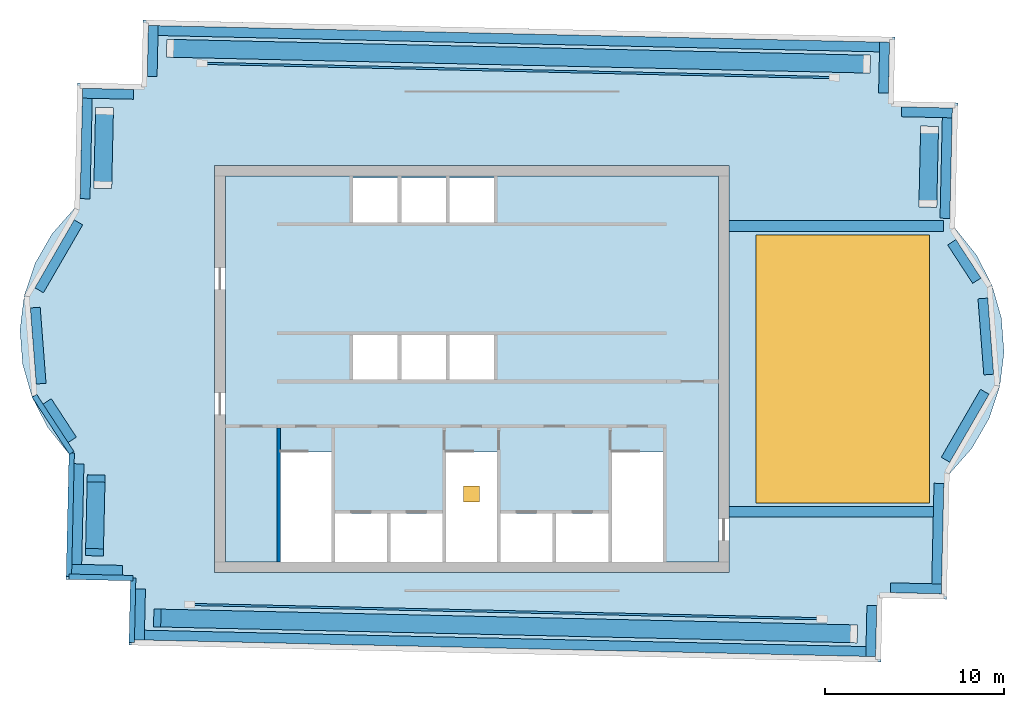
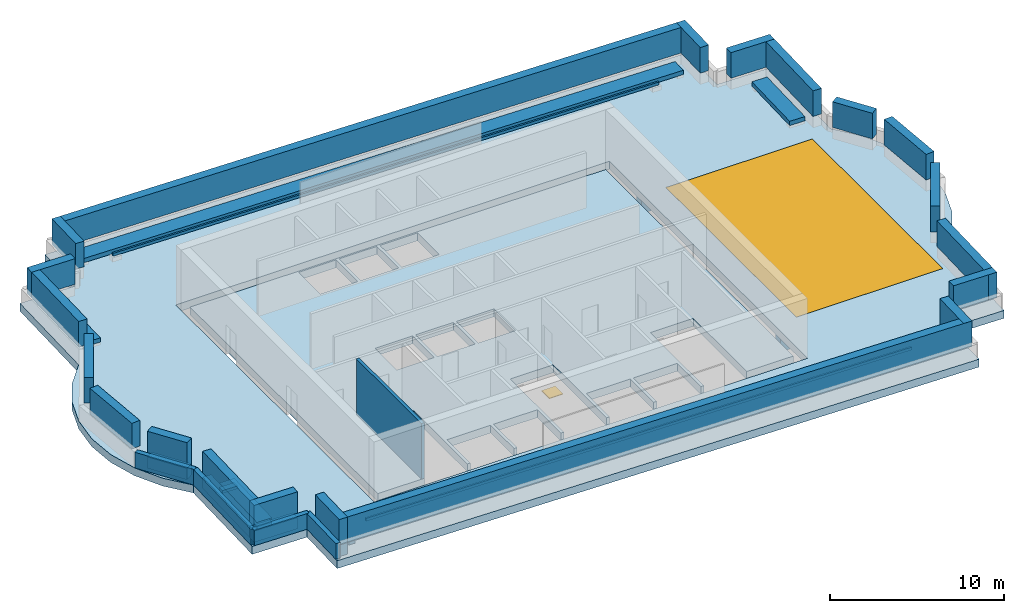
"""IFC4 building model written with IfcOpenShell, lengths in metres."""

import ifcopenshell
import ifcopenshell.guid

model = None  # the IFC model being written
_history = None  # IfcOwnerHistory: only IFC2X3 demands one
_inside = {}  # id of a spatial element -> (the spatial element, [elements in it])
_under = {}  # id of a project, library or spatial element -> (it, [spatial elements below it])
_declared = {}  # id of a project -> (the project, [libraries it declares])
_typed = {}  # id of a type object -> (the type object, [elements of that type])
_made_of = {}  # id of a material, layer set ... -> (it, [elements and type objects made of it])


def new_model(schema):
    """Start an empty IFC model of exactly this schema.

    Asked for "IFC4X3", IfcOpenShell would pick the latest addendum, in which some entities
    have other attributes; the version numbers below select the first issue.
    IFC2X3 requires an IfcOwnerHistory on every rooted entity: one is made here for all.
    """
    global model, _history
    if schema == "IFC4X3":
        model = ifcopenshell.file(schema_version=(4, 3, 0, 0))
    else:
        model = ifcopenshell.file(schema=schema)
    _inside.clear()
    _under.clear()
    _declared.clear()
    _typed.clear()
    _made_of.clear()
    _history = None
    if model.schema == "IFC2X3":
        org = make("IfcOrganization", Name="unknown")
        user = make(
            "IfcPersonAndOrganization",
            ThePerson=make("IfcPerson", FamilyName="unknown"),
            TheOrganization=org,
        )
        app = make(
            "IfcApplication",
            ApplicationDeveloper=org,
            Version="unknown",
            ApplicationFullName="unknown",
            ApplicationIdentifier="unknown",
        )
        _history = make(
            "IfcOwnerHistory",
            OwningUser=user,
            OwningApplication=app,
            ChangeAction="ADDED",
            CreationDate=0,
        )
    return model


def make(cls, **values):
    """One entity of the class cls with the attributes given. An attribute that is None is left unset."""
    return model.create_entity(
        cls, **{name: value for name, value in values.items() if value is not None}
    )


def rooted(cls, **values):
    """An entity with a GlobalId (a new one), such as an element, a storey or a relation."""
    return make(cls, GlobalId=ifcopenshell.guid.new(), OwnerHistory=_history, **values)


def si_unit(unit_type, name, prefix=None):
    """IfcSIUnit, for example si_unit("LENGTHUNIT", "METRE", prefix="MILLI")."""
    return make("IfcSIUnit", UnitType=unit_type, Prefix=prefix, Name=name)


def assignment(units):
    """IfcUnitAssignment: the units of a project."""
    return None if units is None else make("IfcUnitAssignment", Units=units)


def point(xyz):
    """IfcCartesianPoint."""
    return None if xyz is None else make("IfcCartesianPoint", Coordinates=xyz)


def direction(xyz):
    """IfcDirection."""
    return None if xyz is None else make("IfcDirection", DirectionRatios=xyz)


def frame(location, z_axis=None, x_axis=None):
    """IfcAxis2Placement3D, a coordinate frame: its origin and axes. An axis left out is left unset."""
    return make(
        "IfcAxis2Placement3D",
        Location=point(location),
        Axis=direction(z_axis),
        RefDirection=direction(x_axis),
    )


def frame_2d(location, x_axis=None):
    """IfcAxis2Placement2D, a coordinate frame in the plane: its origin and x axis."""
    return make(
        "IfcAxis2Placement2D", Location=point(location), RefDirection=direction(x_axis)
    )


def origin():
    """The frame at (0, 0, 0) with its axes left unset."""
    return frame((0.0, 0.0, 0.0))


def origin_2d():
    """The frame at (0, 0) in the plane with its x axis left unset."""
    return frame_2d((0.0, 0.0))


def place(relative_to, where):
    """IfcLocalPlacement: puts the frame where relative to a parent placement (None: the world)."""
    return make(
        "IfcLocalPlacement", PlacementRelTo=relative_to, RelativePlacement=where
    )


def context(
    kind, dimensions, precision=None, world=None, true_north=None, identifier=None
):
    """IfcGeometricRepresentationContext, for example the 3D "Model" context."""
    return make(
        "IfcGeometricRepresentationContext",
        ContextIdentifier=identifier,
        ContextType=kind,
        CoordinateSpaceDimension=dimensions,
        Precision=precision,
        WorldCoordinateSystem=world,
        TrueNorth=true_north,
    )


def subcontext(parent, identifier, kind, view, scale=None):
    """IfcGeometricRepresentationSubContext, for example "Body" below "Model"."""
    return make(
        "IfcGeometricRepresentationSubContext",
        ContextIdentifier=identifier,
        ContextType=kind,
        ParentContext=parent,
        TargetScale=scale,
        TargetView=view,
    )


def project(units=None, contexts=None):
    """IfcProject with its units and contexts."""
    return rooted(
        "IfcProject",
        Name="project",
        RepresentationContexts=contexts,
        UnitsInContext=assignment(units),
    )


def spatial(cls, under=None, at=None, **own):
    """A site, building, storey or space (cls), placed at a placement, below another one or the project."""
    s = rooted(cls, ObjectPlacement=at, **own)
    if under is not None:
        _under.setdefault(under.id(), (under, []))[1].append(s)
    return s


def polyline(points):
    """IfcPolyline through the points."""
    return make("IfcPolyline", Points=[point(p) for p in points])


def profile(cls, at=None, kind="AREA", **sizes):
    """A parametric profile (cls). Its sizes go by their IFC names, for example OverallWidth=200.0."""
    return make(cls, ProfileType=kind, Position=at, **sizes)


def rectangle(**sizes):
    """IfcRectangleProfileDef."""
    return profile("IfcRectangleProfileDef", **sizes)


def hollow_rectangle(**sizes):
    """IfcRectangleHollowProfileDef."""
    return profile("IfcRectangleHollowProfileDef", **sizes)


def outline(outer, holes=None, kind="AREA"):
    """IfcArbitraryClosedProfileDef: a profile drawn as a closed curve; with holes, ...WithVoids."""
    if holes is None:
        return make("IfcArbitraryClosedProfileDef", ProfileType=kind, OuterCurve=outer)
    return make(
        "IfcArbitraryProfileDefWithVoids",
        ProfileType=kind,
        OuterCurve=outer,
        InnerCurves=holes,
    )


def extrude(swept, where, along, depth):
    """IfcExtrudedAreaSolid: the profile swept, set in the frame where, extruded along a direction by depth."""
    return make(
        "IfcExtrudedAreaSolid",
        SweptArea=swept,
        Position=where,
        ExtrudedDirection=direction(along),
        Depth=depth,
    )


def shape(context_of_items, identifier, shape_type, items):
    """IfcShapeRepresentation: the items that make up one representation, for example the "Body"."""
    return make(
        "IfcShapeRepresentation",
        ContextOfItems=context_of_items,
        RepresentationIdentifier=identifier,
        RepresentationType=shape_type,
        Items=items,
    )


def material(Name=None, Category=None):
    """IfcMaterial."""
    return make("IfcMaterial", Name=Name, Category=Category)


def layer(
    of_material, thickness, ventilated=None, Name=None, Category=None, Priority=None
):
    """IfcMaterialLayer: one layer of a wall or slab, of a material (None: an air gap)."""
    return make(
        "IfcMaterialLayer",
        Material=of_material,
        LayerThickness=thickness,
        IsVentilated=ventilated,
        Name=Name,
        Category=Category,
        Priority=Priority,
    )


def layer_set(layers, Name=None):
    """IfcMaterialLayerSet."""
    return make("IfcMaterialLayerSet", MaterialLayers=layers, LayerSetName=Name)


def material_profile(
    of_material, cross_section, Name=None, Category=None, Priority=None
):
    """IfcMaterialProfile: a cross section and its material."""
    return make(
        "IfcMaterialProfile",
        Name=Name,
        Material=of_material,
        Profile=cross_section,
        Priority=Priority,
        Category=Category,
    )


def profile_set(profiles, Name=None, composite=None):
    """IfcMaterialProfileSet."""
    return make(
        "IfcMaterialProfileSet",
        Name=Name,
        MaterialProfiles=profiles,
        CompositeProfile=composite,
    )


def made_of(thing, what):
    """Note that an element or type object is made of a material, layer set ...; save() writes the relation."""
    if what is not None:
        _made_of.setdefault(what.id(), (what, []))[1].append(thing)
    return thing


def type_object(cls, material=None, **own):
    """A type object (cls), such as IfcWallType, which elements share."""
    return made_of(rooted(cls, **own), material)


def element(
    cls,
    number,
    at=None,
    inside=None,
    cuts=None,
    type_object=None,
    material=None,
    context=None,
    identifier="Body",
    shape_type=None,
    held_by="IfcProductDefinitionShape",
    body=None,
    shapes=None,
    **own,
):
    """One element of the class cls, such as IfcWall. Its Tag is "e" and its number.

    at: its placement. inside: the storey or other place that contains it. cuts: it is an
    opening in that element (IfcRelVoidsElement). A single representation is given by context,
    identifier, shape_type and body (its items); several are given by shapes. held_by: the class
    of the entity that holds the representations. save() writes the other relations.
    """
    e = rooted(cls, Tag="e%d" % number, ObjectPlacement=at, **own)
    if body is not None:
        shapes = [shape(context, identifier, shape_type, body)]
    if shapes is not None:
        e.Representation = make(held_by, Representations=shapes)
    if inside is not None:
        _inside.setdefault(inside.id(), (inside, []))[1].append(e)
    if cuts is not None:
        rooted(
            "IfcRelVoidsElement", RelatingBuildingElement=cuts, RelatedOpeningElement=e
        )
    if type_object is not None:
        _typed.setdefault(type_object.id(), (type_object, []))[1].append(e)
    return made_of(e, material)


def fill(opening, filler):
    """IfcRelFillsElement: the door or window that sits in an opening."""
    return rooted(
        "IfcRelFillsElement",
        RelatingOpeningElement=opening,
        RelatedBuildingElement=filler,
    )


def aggregate(whole, parts):
    """IfcRelAggregates: a whole, such as a stair, and the parts it consists of."""
    return rooted("IfcRelAggregates", RelatingObject=whole, RelatedObjects=parts)


def save(model, path):
    """Write the relations noted so far, then the file.

    IfcRelAggregates (storeys below a building ...), IfcRelContainedInSpatialStructure (elements
    in a storey), IfcRelDefinesByType, IfcRelAssociatesMaterial and IfcRelDeclares: one each for
    every whole, place, type object, material and project.
    """
    for whole, parts in _under.values():
        aggregate(whole, parts)
    for where, things in _inside.values():
        rooted(
            "IfcRelContainedInSpatialStructure",
            RelatedElements=things,
            RelatingStructure=where,
        )
    for kind, things in _typed.values():
        rooted("IfcRelDefinesByType", RelatedObjects=things, RelatingType=kind)
    for what, things in _made_of.values():
        rooted("IfcRelAssociatesMaterial", RelatedObjects=things, RelatingMaterial=what)
    for by, libraries in _declared.values():
        rooted("IfcRelDeclares", RelatingContext=by, RelatedDefinitions=libraries)
    model.write(path)


model = new_model("IFC4")

# Units and contexts
model_context = context("Model", 3, precision=1e-05, world=origin(), true_north=direction((0.0, 1.0)))
body_context = subcontext(model_context, "Body", "Model", "MODEL_VIEW")
ifc_project = project(units=[si_unit("LENGTHUNIT", "METRE"), si_unit("AREAUNIT", "SQUARE_METRE"), si_unit("VOLUMEUNIT", "CUBIC_METRE"), si_unit("PLANEANGLEUNIT", "RADIAN"), si_unit("MASSUNIT", "GRAM", prefix="KILO")], contexts=[model_context])

# Site, building, storey
site_placement = place(None, origin())
site = spatial("IfcSite", under=ifc_project, at=site_placement, CompositionType="ELEMENT")
building_placement = place(site_placement, origin())
building = spatial("IfcBuilding", under=site, at=building_placement, Name="Mangrove Gate Tower", CompositionType="ELEMENT")
storey_1_placement = place(building_placement, frame((0.0, 0.0, 354.300048828125)))
storey_1 = spatial("IfcBuildingStorey", under=building, at=storey_1_placement, Name="ROOF", CompositionType="ELEMENT", Elevation=354.300048828125)

# Members
ifc_material_1 = material(Name="Steel S355J2H", Category="steel")
ifc_material_profile_1 = material_profile(ifc_material_1, hollow_rectangle(XDim=0.1201171875, YDim=0.199951171875, WallThickness=0.010009765625, at=origin_2d()))
ifc_profile_set_1 = profile_set([ifc_material_profile_1], Name="Steel S355J2H")
member_type_1 = type_object("IfcMemberType", Name="BMU rail RHS 200x120x10", PredefinedType="USERDEFINED", material=ifc_profile_set_1)
for number, where, z_axis, x_axis, name in (
    (1, (20.488037109375, 16.302978515625, 0.39990234375), (-0.999742736049, 0.022681748568, 0.0), (-0.022681748568, -0.999742736049, 0.0), "BMU RAIL N"),
    (2, (-15.989990234375, -13.177001953125, 0.39990234375), (0.999742117121, -0.022709012619, 0.0), (0.022709012619, 0.999742117121, 0.0), "BMU RAIL S"),
):
    element("IfcMember", number, at=place(storey_1_placement, frame(where, z_axis=z_axis, x_axis=x_axis)), inside=storey_1, type_object=member_type_1, Name=name, ObjectType="BMU RAIL", PredefinedType="USERDEFINED", context=body_context, shape_type="SweptSolid", body=[
        extrude(hollow_rectangle(XDim=0.1201171875, YDim=0.199951171875, WallThickness=0.010009765625, at=origin_2d()), origin(), (0.0, 0.0, 1.0), 35.80029296875),
    ])
ifc_material_2 = material(Name="Planting in aluminium tray with green roof substrate", Category="aluminium")
ifc_material_profile_2 = material_profile(ifc_material_2, rectangle(XDim=1.0, YDim=0.300048828125, at=origin_2d()))
ifc_profile_set_2 = profile_set([ifc_material_profile_2], Name="Planting in aluminium tray with green roof substrate")
member_type_2 = type_object("IfcMemberType", Name="Planting bed screen 1000x300", PredefinedType="USERDEFINED", material=ifc_profile_set_2)
member_1_placement = place(storey_1_placement, frame((25.52490234375, 9.056884765625, 0.349853515625), z_axis=(0.022747118555, 0.999741250823, 0.0), x_axis=(-0.999741250823, 0.022747118555, 0.0)))
element("IfcMember", 3, at=member_1_placement, inside=storey_1, type_object=member_type_2, Name="PLANTING BED ROOF 1", ObjectType="PLANTING", PredefinedType="USERDEFINED", context=body_context, shape_type="SweptSolid", body=[
    extrude(rectangle(XDim=1.0, YDim=0.300048828125, at=origin_2d()), origin(), (0.0, 0.0, 1.0), 4.529296875),
])
member_2_placement = place(storey_1_placement, frame((22.305908203125, 17.06201171875, 0.349853515625), z_axis=(-0.999743078456, 0.02266665126, 0.0), x_axis=(-0.02266665126, -0.999743078456, 0.0)))
element("IfcMember", 4, at=member_2_placement, inside=storey_1, type_object=member_type_2, Name="PLANTING BED ROOF 2", ObjectType="PLANTING", PredefinedType="USERDEFINED", context=body_context, shape_type="SweptSolid", body=[
    extrude(rectangle(XDim=1.0, YDim=0.300048828125, at=origin_2d()), origin(), (0.0, 0.0, 1.0), 39.39990234375),
])
member_3_placement = place(storey_1_placement, frame((-20.56005859375, 14.634033203125, 0.349853515625), z_axis=(-0.022742216318, -0.999741362352, 0.0), x_axis=(0.999741362352, -0.022742216318, 0.0)))
element("IfcMember", 5, at=member_3_placement, inside=storey_1, type_object=member_type_2, Name="PLANTING BED ROOF 3", ObjectType="PLANTING", PredefinedType="USERDEFINED", context=body_context, shape_type="SweptSolid", body=[
    extrude(rectangle(XDim=1.0, YDim=0.300048828125, at=origin_2d()), origin(), (0.0, 0.0, 1.0), 4.5302734375),
])
member_4_placement = place(storey_1_placement, frame((-21.027099609375, -5.931884765625, 0.349853515625), z_axis=(-0.022693243223, -0.999742475196, 0.0), x_axis=(0.999742475196, -0.022693243223, 0.0)))
element("IfcMember", 6, at=member_4_placement, inside=storey_1, type_object=member_type_2, Name="PLANTING BED ROOF 4", ObjectType="PLANTING", PredefinedType="USERDEFINED", context=body_context, shape_type="SweptSolid", body=[
    extrude(rectangle(XDim=1.0, YDim=0.300048828125, at=origin_2d()), origin(), (0.0, 0.0, 1.0), 4.529296875),
])
member_5_placement = place(storey_1_placement, frame((-17.80810546875, -13.93603515625, 0.349853515625), z_axis=(0.999742519672, -0.022691283776, 0.0), x_axis=(0.022691283776, 0.999742519672, 0.0)))
element("IfcMember", 7, at=member_5_placement, inside=storey_1, type_object=member_type_2, Name="PLANTING BED ROOF 5", ObjectType="PLANTING", PredefinedType="USERDEFINED", context=body_context, shape_type="SweptSolid", body=[
    extrude(rectangle(XDim=1.0, YDim=0.300048828125, at=origin_2d()), origin(), (0.0, 0.0, 1.0), 39.400390625),
])

# Beams
ifc_material_3 = material(Name="Concrete C50/60", Category="concrete")
ifc_material_profile_3 = material_profile(ifc_material_3, rectangle(XDim=0.60009765625, YDim=0.89990234375, at=origin_2d()))
ifc_profile_set_3 = profile_set([ifc_material_profile_3], Name="Concrete C50/60")
beam_type = type_object("IfcBeamType", Name="Roof beam RC 600x900 C50/60", PredefinedType="BEAM", material=ifc_profile_set_3)
beam_1_placement = place(storey_1_placement, frame((14.39990234375, -8.0, -1.0), z_axis=(1.0, 0.0, 0.0), x_axis=(0.0, 1.0, 0.0)))
element("IfcBeam", 8, at=beam_1_placement, inside=storey_1, type_object=beam_type, Name="Roof beam 00", PredefinedType="BEAM", context=body_context, shape_type="SweptSolid", body=[
    extrude(rectangle(XDim=0.60009765625, YDim=0.89990234375, at=origin_2d()), origin(), (0.0, 0.0, 1.0), 11.65234375),
])
beam_2_placement = place(storey_1_placement, frame((14.39990234375, 8.0, -1.0), z_axis=(1.0, 0.0, 0.0), x_axis=(0.0, 1.0, 0.0)))
element("IfcBeam", 9, at=beam_2_placement, inside=storey_1, type_object=beam_type, Name="Roof beam 01", PredefinedType="BEAM", context=body_context, shape_type="SweptSolid", body=[
    extrude(rectangle(XDim=0.60009765625, YDim=0.89990234375, at=origin_2d()), origin(), (0.0, 0.0, 1.0), 12.00244140625),
])

# Members
ifc_material_4 = material(Name="Planting on aluminium trellis", Category="aluminium")
ifc_material_profile_4 = material_profile(ifc_material_4, rectangle(XDim=0.550048828125, YDim=1.800048828125, at=origin_2d()))
ifc_profile_set_4 = profile_set([ifc_material_profile_4], Name="Planting on aluminium trellis")
member_type_3 = type_object("IfcMemberType", Name="Roof greenery screen 550x1800", PredefinedType="USERDEFINED", material=ifc_profile_set_4)
member_6_placement = place(storey_1_placement, frame((26.009033203125, -12.580078125, 1.699951171875), z_axis=(0.022637943358, 0.999743728923, 0.0), x_axis=(-0.999743728923, 0.022637943358, 0.0)))
element("IfcMember", 10, at=member_6_placement, inside=storey_1, type_object=member_type_3, Name="GREEN SCREEN ROOF E0", ObjectType="PLANTING", PredefinedType="USERDEFINED", context=body_context, shape_type="SweptSolid", body=[
    extrude(rectangle(XDim=0.550048828125, YDim=1.800048828125, at=origin_2d()), origin(), (0.0, 0.0, 1.0), 6.179443359375),
])
member_7_placement = place(storey_1_placement, frame((26.52001953125, -5.0810546875, 1.699951171875), z_axis=(0.500234069634, 0.865890221435, 0.0), x_axis=(-0.865890221435, 0.500234069634, 0.0)))
element("IfcMember", 11, at=member_7_placement, inside=storey_1, type_object=member_type_3, Name="GREEN SCREEN ROOF E1f1", ObjectType="PLANTING", PredefinedType="USERDEFINED", context=body_context, shape_type="SweptSolid", body=[
    extrude(rectangle(XDim=0.550048828125, YDim=1.800048828125, at=origin_2d()), origin(), (0.0, 0.0, 1.0), 4.39208984375),
])
member_8_placement = place(storey_1_placement, frame((28.93701171875, -0.31201171875, 1.699951171875), z_axis=(-0.077024207266, 0.997029222989, 0.0), x_axis=(-0.997029222989, -0.077024207266, 0.0)))
element("IfcMember", 12, at=member_8_placement, inside=storey_1, type_object=member_type_3, Name="GREEN SCREEN ROOF E1f2", ObjectType="PLANTING", PredefinedType="USERDEFINED", context=body_context, shape_type="SweptSolid", body=[
    extrude(rectangle(XDim=0.550048828125, YDim=1.800048828125, at=origin_2d()), origin(), (0.0, 0.0, 1.0), 4.272705078125),
])
member_9_placement = place(storey_1_placement, frame((28.27099609375, 4.94189453125, 1.699951171875), z_axis=(-0.54622135958, 0.837640869549, 0.0), x_axis=(-0.837640869549, -0.54622135958, 0.0)))
element("IfcMember", 13, at=member_9_placement, inside=storey_1, type_object=member_type_3, Name="GREEN SCREEN ROOF E1f3", ObjectType="PLANTING", PredefinedType="USERDEFINED", context=body_context, shape_type="SweptSolid", body=[
    extrude(rectangle(XDim=0.550048828125, YDim=1.800048828125, at=origin_2d()), origin(), (0.0, 0.0, 1.0), 2.56689453125),
])
member_10_placement = place(storey_1_placement, frame((26.486083984375, 8.43505859375, 1.699951171875), z_axis=(0.022637943358, 0.999743728923, 0.0), x_axis=(-0.999743728923, 0.022637943358, 0.0)))
element("IfcMember", 14, at=member_10_placement, inside=storey_1, type_object=member_type_3, Name="GREEN SCREEN ROOF E2", ObjectType="PLANTING", PredefinedType="USERDEFINED", context=body_context, shape_type="SweptSolid", body=[
    extrude(rectangle(XDim=0.550048828125, YDim=1.800048828125, at=origin_2d()), origin(), (0.0, 0.0, 1.0), 6.179443359375),
])
member_11_placement = place(storey_1_placement, frame((26.89501953125, 14.33203125, 1.699951171875), z_axis=(-0.999748077627, 0.022445072523, 0.0), x_axis=(-0.022445072523, -0.999748077627, 0.0)))
element("IfcMember", 15, at=member_11_placement, inside=storey_1, type_object=member_type_3, Name="GREEN SCREEN ROOF N3", ObjectType="PLANTING", PredefinedType="USERDEFINED", context=body_context, shape_type="SweptSolid", body=[
    extrude(rectangle(XDim=0.550048828125, YDim=1.800048828125, at=origin_2d()), origin(), (0.0, 0.0, 1.0), 2.849853515625),
])
member_12_placement = place(storey_1_placement, frame((23.0439453125, 15.444091796875, 1.699951171875), z_axis=(0.02278171534, 0.999740463043, 0.0), x_axis=(-0.999740463043, 0.02278171534, 0.0)))
element("IfcMember", 16, at=member_12_placement, inside=storey_1, type_object=member_type_3, Name="GREEN SCREEN ROOF E4", ObjectType="PLANTING", PredefinedType="USERDEFINED", context=body_context, shape_type="SweptSolid", body=[
    extrude(rectangle(XDim=0.550048828125, YDim=1.800048828125, at=origin_2d()), origin(), (0.0, 0.0, 1.0), 2.8505859375),
])
member_13_placement = place(storey_1_placement, frame((23.376953125, 18.012939453125, 1.699951171875), z_axis=(-0.999742803486, 0.022678775957, 0.0), x_axis=(-0.022678775957, -0.999742803486, 0.0)))
element("IfcMember", 17, at=member_13_placement, inside=storey_1, type_object=member_type_3, Name="GREEN SCREEN ROOF N5", ObjectType="PLANTING", PredefinedType="USERDEFINED", context=body_context, shape_type="SweptSolid", body=[
    extrude(rectangle(XDim=0.550048828125, YDim=1.800048828125, at=origin_2d()), origin(), (0.0, 0.0, 1.0), 41.499755859375),
])
member_14_placement = place(storey_1_placement, frame((-17.8310546875, 19.221923828125, 1.699951171875), z_axis=(-0.022446995032, -0.999748034464, 0.0), x_axis=(0.999748034464, -0.022446995032, 0.0)))
element("IfcMember", 18, at=member_14_placement, inside=storey_1, type_object=member_type_3, Name="GREEN SCREEN ROOF W6", ObjectType="PLANTING", PredefinedType="USERDEFINED", context=body_context, shape_type="SweptSolid", body=[
    extrude(rectangle(XDim=0.550048828125, YDim=1.800048828125, at=origin_2d()), origin(), (0.0, 0.0, 1.0), 2.849609375),
])
member_15_placement = place(storey_1_placement, frame((-18.943115234375, 15.3720703125, 1.699951171875), z_axis=(-0.999748207052, 0.022439306969, 0.0), x_axis=(-0.022439306969, -0.999748207052, 0.0)))
element("IfcMember", 19, at=member_15_placement, inside=storey_1, type_object=member_type_3, Name="GREEN SCREEN ROOF N7", ObjectType="PLANTING", PredefinedType="USERDEFINED", context=body_context, shape_type="SweptSolid", body=[
    extrude(rectangle(XDim=0.550048828125, YDim=1.800048828125, at=origin_2d()), origin(), (0.0, 0.0, 1.0), 2.8505859375),
])
member_16_placement = place(storey_1_placement, frame((-21.510986328125, 15.705078125, 1.699951171875), z_axis=(-0.022641520503, -0.999743647916, 0.0), x_axis=(0.999743647916, -0.022641520503, 0.0)))
element("IfcMember", 20, at=member_16_placement, inside=storey_1, type_object=member_type_3, Name="GREEN SCREEN ROOF W8", ObjectType="PLANTING", PredefinedType="USERDEFINED", context=body_context, shape_type="SweptSolid", body=[
    extrude(rectangle(XDim=0.550048828125, YDim=1.800048828125, at=origin_2d()), origin(), (0.0, 0.0, 1.0), 6.178466796875),
])
member_17_placement = place(storey_1_placement, frame((-22.02197265625, 8.2060546875, 1.699951171875), z_axis=(-0.500330395911, -0.865834565565, 0.0), x_axis=(0.865834565565, -0.500330395911, 0.0)))
element("IfcMember", 21, at=member_17_placement, inside=storey_1, type_object=member_type_3, Name="GREEN SCREEN ROOF W9f1", ObjectType="PLANTING", PredefinedType="USERDEFINED", context=body_context, shape_type="SweptSolid", body=[
    extrude(rectangle(XDim=0.550048828125, YDim=1.800048828125, at=origin_2d()), origin(), (0.0, 0.0, 1.0), 4.39111328125),
])
member_18_placement = place(storey_1_placement, frame((-24.43896484375, 3.43701171875, 1.699951171875), z_axis=(0.076967406266, -0.99703360945, 0.0), x_axis=(0.99703360945, 0.076967406266, 0.0)))
element("IfcMember", 22, at=member_18_placement, inside=storey_1, type_object=member_type_3, Name="GREEN SCREEN ROOF W9f2", ObjectType="PLANTING", PredefinedType="USERDEFINED", context=body_context, shape_type="SweptSolid", body=[
    extrude(rectangle(XDim=0.550048828125, YDim=1.800048828125, at=origin_2d()), origin(), (0.0, 0.0, 1.0), 4.272705078125),
])
member_19_placement = place(storey_1_placement, frame((-23.77294921875, -1.81689453125, 1.699951171875), z_axis=(0.546328728108, -0.837570845269, 0.0), x_axis=(0.837570845269, 0.546328728108, 0.0)))
element("IfcMember", 23, at=member_19_placement, inside=storey_1, type_object=member_type_3, Name="GREEN SCREEN ROOF W9f3", ObjectType="PLANTING", PredefinedType="USERDEFINED", context=body_context, shape_type="SweptSolid", body=[
    extrude(rectangle(XDim=0.550048828125, YDim=1.800048828125, at=origin_2d()), origin(), (0.0, 0.0, 1.0), 2.56591796875),
])
member_20_placement = place(storey_1_placement, frame((-21.988037109375, -5.31005859375, 1.699951171875), z_axis=(-0.022637943358, -0.999743728923, 0.0), x_axis=(0.999743728923, -0.022637943358, 0.0)))
element("IfcMember", 24, at=member_20_placement, inside=storey_1, type_object=member_type_3, Name="GREEN SCREEN ROOF W10", ObjectType="PLANTING", PredefinedType="USERDEFINED", context=body_context, shape_type="SweptSolid", body=[
    extrude(rectangle(XDim=0.550048828125, YDim=1.800048828125, at=origin_2d()), origin(), (0.0, 0.0, 1.0), 6.179443359375),
])
member_21_placement = place(storey_1_placement, frame((-22.39697265625, -11.20703125, 1.699951171875), z_axis=(0.999748034464, -0.022446995032, 0.0), x_axis=(0.022446995032, 0.999748034464, 0.0)))
element("IfcMember", 25, at=member_21_placement, inside=storey_1, type_object=member_type_3, Name="GREEN SCREEN ROOF S11", ObjectType="PLANTING", PredefinedType="USERDEFINED", context=body_context, shape_type="SweptSolid", body=[
    extrude(rectangle(XDim=0.550048828125, YDim=1.800048828125, at=origin_2d()), origin(), (0.0, 0.0, 1.0), 2.849609375),
])
member_22_placement = place(storey_1_placement, frame((-18.5458984375, -12.319091796875, 1.699951171875), z_axis=(-0.022867316185, -0.999738508736, 0.0), x_axis=(0.999738508736, -0.022867316185, 0.0)))
element("IfcMember", 26, at=member_22_placement, inside=storey_1, type_object=member_type_3, Name="GREEN SCREEN ROOF W12", ObjectType="PLANTING", PredefinedType="USERDEFINED", context=body_context, shape_type="SweptSolid", body=[
    extrude(rectangle(XDim=0.550048828125, YDim=1.800048828125, at=origin_2d()), origin(), (0.0, 0.0, 1.0), 2.8505859375),
])
member_23_placement = place(storey_1_placement, frame((-18.87890625, -14.886962890625, 1.699951171875), z_axis=(0.999742269674, -0.022702295639, 0.0), x_axis=(0.022702295639, 0.999742269674, 0.0)))
element("IfcMember", 27, at=member_23_placement, inside=storey_1, type_object=member_type_3, Name="GREEN SCREEN ROOF S13", ObjectType="PLANTING", PredefinedType="USERDEFINED", context=body_context, shape_type="SweptSolid", body=[
    extrude(rectangle(XDim=0.550048828125, YDim=1.800048828125, at=origin_2d()), origin(), (0.0, 0.0, 1.0), 41.499755859375),
])
member_24_placement = place(storey_1_placement, frame((22.3291015625, -16.096923828125, 1.699951171875), z_axis=(0.022446995032, 0.999748034464, 0.0), x_axis=(-0.999748034464, 0.022446995032, 0.0)))
element("IfcMember", 28, at=member_24_placement, inside=storey_1, type_object=member_type_3, Name="GREEN SCREEN ROOF E14", ObjectType="PLANTING", PredefinedType="USERDEFINED", context=body_context, shape_type="SweptSolid", body=[
    extrude(rectangle(XDim=0.550048828125, YDim=1.800048828125, at=origin_2d()), origin(), (0.0, 0.0, 1.0), 2.849609375),
])
member_25_placement = place(storey_1_placement, frame((23.44091796875, -12.2470703125, 1.699951171875), z_axis=(0.999748250171, -0.022437385776, 0.0), x_axis=(0.022437385776, 0.999748250171, 0.0)))
element("IfcMember", 29, at=member_25_placement, inside=storey_1, type_object=member_type_3, Name="GREEN SCREEN ROOF S15", ObjectType="PLANTING", PredefinedType="USERDEFINED", context=body_context, shape_type="SweptSolid", body=[
    extrude(rectangle(XDim=0.550048828125, YDim=1.800048828125, at=origin_2d()), origin(), (0.0, 0.0, 1.0), 2.850830078125),
])

# Slab
ifc_material_5 = material(Name="Concrete C40/50", Category="concrete")
ifc_layer_1 = layer(ifc_material_5, 0.550048828125)
ifc_layer_set_1 = layer_set([ifc_layer_1], Name="Core floor slab 550 C40/50 roof")
slab_type_1 = type_object("IfcSlabType", Name="Core floor slab 550 C40/50 roof", PredefinedType="ROOF", material=ifc_layer_set_1)
slab_1_placement = place(storey_1_placement, frame((0.0, 0.0, -0.550048828125)))
element("IfcSlab", 30, at=slab_1_placement, inside=storey_1, type_object=slab_type_1, Name="SLAB-ROOF-CORE-1", PredefinedType="ROOF", context=body_context, shape_type="SweptSolid", body=[
    extrude(outline(polyline([(-13.800048828125, -10.800048828125), (-13.800048828125, 10.800048828125), (13.800048828125, 10.800048828125), (13.800048828125, -10.800048828125), (10.699951171875, -10.800048828125), (10.699951171875, -4.653076171875), (7.85009765625, -4.653076171875), (7.85009765625, -10.800048828125), (7.64990234375, -10.800048828125), (7.64990234375, -8.10009765625), (4.72509765625, -8.10009765625), (4.72509765625, -10.800048828125), (4.52490234375, -10.800048828125), (4.52490234375, -8.10009765625), (1.60009765625, -8.10009765625), (1.60009765625, -10.800048828125), (1.39990234375, -10.800048828125), (1.39990234375, -4.653076171875), (-1.449951171875, -4.653076171875), (-1.449951171875, -10.800048828125), (-1.64990234375, -10.800048828125), (-1.64990234375, -8.10009765625), (-4.550048828125, -8.10009765625), (-4.550048828125, -10.800048828125), (-4.75, -10.800048828125), (-4.75, -8.10009765625), (-7.64990234375, -8.10009765625), (-7.64990234375, -10.800048828125), (-7.85009765625, -10.800048828125), (-7.85009765625, -4.653076171875), (-10.699951171875, -4.653076171875), (-10.699951171875, -10.800048828125), (-13.800048828125, -10.800048828125)]), holes=[polyline([(-4.14990234375, 1.89990234375), (-6.64990234375, 1.89990234375), (-6.64990234375, -0.60009765625), (-4.14990234375, -0.60009765625), (-4.14990234375, 1.89990234375)]), polyline([(-1.449951171875, -0.60009765625), (-1.449951171875, 1.89990234375), (-3.949951171875, 1.89990234375), (-3.949951171875, -0.60009765625), (-1.449951171875, -0.60009765625)]), polyline([(-4.14990234375, 8.199951171875), (-4.14990234375, 10.699951171875), (-6.64990234375, 10.699951171875), (-6.64990234375, 8.199951171875), (-4.14990234375, 8.199951171875)]), polyline([(-1.449951171875, 10.699951171875), (-3.949951171875, 10.699951171875), (-3.949951171875, 8.199951171875), (-1.449951171875, 8.199951171875), (-1.449951171875, 10.699951171875)]), polyline([(1.25, -0.60009765625), (1.25, 1.89990234375), (-1.25, 1.89990234375), (-1.25, -0.60009765625), (1.25, -0.60009765625)]), polyline([(1.25, 8.199951171875), (1.25, 10.699951171875), (-1.25, 10.699951171875), (-1.25, 8.199951171875), (1.25, 8.199951171875)])]), origin(), (0.0, 0.0, 1.0), 0.550048828125),
])

# Slab, openings
ifc_material_6 = material(Name="Concrete C40/50", Category="concrete")
ifc_layer_2 = layer(ifc_material_6, 0.550048828125)
ifc_layer_set_2 = layer_set([ifc_layer_2], Name="Floor slab 550 C40/50 roof")
slab_type_2 = type_object("IfcSlabType", Name="Floor slab 550 C40/50 roof", PredefinedType="ROOF", material=ifc_layer_set_2)
slab_2_placement = place(storey_1_placement, frame((0.0, 0.0, -0.550048828125)))
slab_2 = element("IfcSlab", 31, at=slab_2_placement, inside=storey_1, type_object=slab_type_2, Name="Roof slab ROOF", PredefinedType="ROOF", context=body_context, shape_type="SweptSolid", body=[
    extrude(outline(polyline([(-19.192626953125, -15.455322265625), (22.896484375, -16.410400390625), (22.978271484375, -12.811279296875), (26.577392578125, -12.89306640625), (26.736572265625, -5.8701171875), (27.999755859375, -4.43359375), (28.952880859375, -2.775146484375), (29.558349609375, -0.9609375), (29.7919921875, 0.9375), (29.64453125, 2.8447265625), (29.1220703125, 4.684814453125), (28.2451171875, 6.384521484375), (27.048583984375, 7.876953125), (27.2080078125, 14.89990234375), (23.60888671875, 14.9814453125), (23.690673828125, 18.58056640625), (-18.3984375, 19.53564453125), (-18.480224609375, 15.9365234375), (-22.079345703125, 16.018310546875), (-22.23876953125, 8.995361328125), (-23.501708984375, 7.558837890625), (-24.454833984375, 5.900634765625), (-25.060302734375, 4.086181640625), (-25.2939453125, 2.187744140625), (-25.146484375, 0.280517578125), (-24.6240234375, -1.559326171875), (-23.7470703125, -3.25927734375), (-22.550537109375, -4.751708984375), (-22.7099609375, -11.7744140625), (-19.11083984375, -11.856201171875), (-19.192626953125, -15.455322265625)]), holes=[polyline([(15.89990234375, 7.5), (25.623046875, 7.5), (25.623046875, -7.5), (15.89990234375, -7.5), (15.89990234375, 7.5)]), polyline([(-14.39990234375, -11.39990234375), (-14.39990234375, 11.39990234375), (14.39990234375, 11.39990234375), (14.39990234375, -11.39990234375), (-14.39990234375, -11.39990234375)])]), origin(), (0.0, 0.0, 1.0), 0.550048828125),
])
opening_1_placement = place(slab_2_placement, frame((20.761962890625, 0.0, 0.0)))
opening_1 = element("IfcOpeningElement", 32, at=opening_1_placement, cuts=slab_2, Name="Opening RL1", PredefinedType="OPENING", context=body_context, shape_type="SweptSolid", body=[
    extrude(rectangle(XDim=9.722900390625, YDim=15.0, at=origin_2d()), origin(), (0.0, 0.0, 1.0), 0.550048828125),
])
opening_2_placement = place(slab_2_placement, frame((-0.02490234375, -7.0, 0.0)))
opening_2 = element("IfcOpeningElement", 33, at=opening_2_placement, cuts=slab_2, Name="Opening RH1", PredefinedType="OPENING", context=body_context, shape_type="SweptSolid", body=[
    extrude(rectangle(XDim=0.89990234375, YDim=0.89990234375, at=origin_2d()), origin(), (0.0, 0.0, 1.0), 0.550048828125),
])

# Storey
storey_2_placement = place(building_placement, frame((0.0, 0.0, 350.699951171875)))
storey_2 = spatial("IfcBuildingStorey", under=building, at=storey_2_placement, Name="L89", CompositionType="ELEMENT", Elevation=350.699951171875)

# Window
ifc_material_7 = material(Name="Aluminium frame with laminated low-e glass", Category="aluminium")
window_type = type_object("IfcWindowType", Name="Atrium rooflight", PartitioningType="SINGLE_PANEL", PredefinedType="SKYLIGHT", material=ifc_material_7)
window_placement = place(opening_1_placement, frame((0.0, 0.0, 0.5)))
window = element("IfcWindow", 34, at=window_placement, inside=storey_2, type_object=window_type, Name="WIN-L89-ATR", OverallHeight=15.0, OverallWidth=9.722900390625, PartitioningType="SINGLE_PANEL", PredefinedType="SKYLIGHT", context=body_context, shape_type="SweptSolid", body=[
    extrude(rectangle(XDim=9.722900390625, YDim=15.0, at=origin_2d()), origin(), (0.0, 0.0, 1.0), 0.050048828125),
])

fill(opening_1, window)

# Door
ifc_material_8 = material(Name="Insulated aluminium hatch", Category="aluminium")
door_type = type_object("IfcDoorType", Name="Roof access hatch 900x900", OperationType="SWING_FIXED_LEFT", PredefinedType="TRAPDOOR", material=ifc_material_8)
door_placement = place(opening_2_placement, frame((0.0, 0.0, 0.5)))
door = element("IfcDoor", 35, at=door_placement, inside=storey_1, type_object=door_type, Name="DOOR-ROOF-HATCH", OperationType="SINGLE_SWING_LEFT", OverallHeight=0.89990234375, OverallWidth=0.89990234375, PredefinedType="TRAPDOOR", context=body_context, shape_type="SweptSolid", body=[
    extrude(rectangle(XDim=0.89990234375, YDim=0.89990234375, at=origin_2d()), origin(), (0.0, 0.0, 1.0), 0.050048828125),
])

fill(opening_2, door)

# Walls
ifc_material_9 = material(Name="Concrete C50/60", Category="concrete")
ifc_layer_3 = layer(ifc_material_9, 0.199951171875)
ifc_layer_set_3 = layer_set([ifc_layer_3], Name="Core stair wall 200 C50/60")
wall_type_1 = type_object("IfcWallType", Name="Core stair wall 200 C50/60", PredefinedType="SHEAR", material=ifc_layer_set_3)
wall_1_placement = place(storey_1_placement, frame((-10.800048828125, -10.800048828125, 0.0), z_axis=(0.0, 0.0, 1.0), x_axis=(0.0, 1.0, 0.0)))
element("IfcWall", 36, at=wall_1_placement, inside=storey_1, type_object=wall_type_1, Name="WALL-ROOF-CORE-9", PredefinedType="SHEAR", context=body_context, shape_type="SweptSolid", body=[
    extrude(rectangle(XDim=7.5, YDim=0.199951171875, at=frame_2d((3.75, 0.0))), origin(), (0.0, 0.0, 1.0), 3.89990234375),
])
ifc_material_10 = material(Name="Limestone", Category="masonry")
ifc_layer_4 = layer(ifc_material_10, 0.0400390625, Name="Limestone cladding")
ifc_material_11 = material(Name="Ventilated air gap")
ifc_layer_5 = layer(ifc_material_11, 0.030029296875, Name="Ventilated cavity")
ifc_material_12 = material(Name="Mineral wool insulation")
ifc_layer_6 = layer(ifc_material_12, 0.050048828125, Name="Insulation")
ifc_material_13 = material(Name="Concrete C32/40", Category="concrete")
ifc_layer_7 = layer(ifc_material_13, 0.179931640625, Name="Parapet core wall")
ifc_layer_set_4 = layer_set([ifc_layer_4, ifc_layer_5, ifc_layer_6, ifc_layer_7], Name="Parapet 300 limestone")
wall_type_2 = type_object("IfcWallType", Name="Parapet 300 limestone", PredefinedType="PARAPET", material=ifc_layer_set_4)
wall_2_placement = place(storey_1_placement, frame((-24.48388671875, -1.50390625, 0.0), z_axis=(0.0, 0.0, 1.0), x_axis=(0.546375113745, -0.837540587124, 0.0)))
element("IfcWall", 37, at=wall_2_placement, inside=storey_1, type_object=wall_type_2, Name="WALL-ROOF-PARW9f3", PredefinedType="PARAPET", context=body_context, shape_type="SweptSolid", body=[
    extrude(rectangle(XDim=3.81591796875, YDim=0.300048828125, at=frame_2d((1.907958984375, 0.0))), origin(), (0.0, 0.0, 1.0), 1.099853515625),
])
wall_3_placement = place(storey_1_placement, frame((-22.39892578125, -4.699951171875, 0.0), z_axis=(0.0, 0.0, 1.0), x_axis=(-0.022794231068, -0.999740177761, 0.0)))
element("IfcWall", 38, at=wall_3_placement, inside=storey_1, type_object=wall_type_2, Name="WALL-ROOF-PARW10", PredefinedType="PARAPET", context=body_context, shape_type="SweptSolid", body=[
    extrude(rectangle(XDim=6.9296875, YDim=0.300048828125, at=frame_2d((3.46484375, 0.0))), origin(), (0.0, 0.0, 1.0), 1.099853515625),
])
wall_4_placement = place(storey_1_placement, frame((-22.556884765625, -11.6279296875, 0.0), z_axis=(0.0, 0.0, 1.0), x_axis=(0.999740327787, -0.022787650101, 0.0)))
element("IfcWall", 39, at=wall_4_placement, inside=storey_1, type_object=wall_type_2, Name="WALL-ROOF-PARS11", PredefinedType="PARAPET", context=body_context, shape_type="SweptSolid", body=[
    extrude(rectangle(XDim=3.599853515625, YDim=0.300048828125, at=frame_2d((1.7998046875, 0.0))), origin(), (0.0, 0.0, 1.0), 1.099853515625),
])
wall_5_placement = place(storey_1_placement, frame((-18.9580078125, -11.7099609375, 0.0), z_axis=(0.0, 0.0, 1.0), x_axis=(-0.022514980321, -0.999746505701, 0.0)))
element("IfcWall", 40, at=wall_5_placement, inside=storey_1, type_object=wall_type_2, Name="WALL-ROOF-PARW12", PredefinedType="PARAPET", context=body_context, shape_type="SweptSolid", body=[
    extrude(rectangle(XDim=3.60009765625, YDim=0.300048828125, at=frame_2d((1.800048828125, 0.0))), origin(), (0.0, 0.0, 1.0), 1.099853515625),
])
ifc_layer_8 = layer(ifc_material_13, 0.199951171875, Name="Planter trough wall")
ifc_material_14 = material(Name="Bituminous waterproofing membrane")
ifc_layer_9 = layer(ifc_material_14, 0.0048828125, Name="Waterproofing")
ifc_material_15 = material(Name="Drainage board and gravel")
ifc_layer_10 = layer(ifc_material_15, 0.044921875, Name="Drainage layer")
ifc_material_16 = material(Name="Planting soil")
ifc_layer_11 = layer(ifc_material_16, 0.300048828125, Name="Growing medium")
ifc_layer_set_5 = layer_set([ifc_layer_8, ifc_layer_9, ifc_layer_10, ifc_layer_11], Name="Planter wall 550 C32/40")
wall_type_3 = type_object("IfcWallType", Name="Planter wall 550 C32/40", PredefinedType="USERDEFINED", material=ifc_layer_set_5)
wall_6_placement = place(storey_1_placement, frame((-23.77294921875, -1.81689453125, 0.0), z_axis=(0.0, 0.0, 1.0), x_axis=(0.546328728108, -0.837570845269, 0.0)))
element("IfcWall", 41, at=wall_6_placement, inside=storey_1, type_object=wall_type_3, Name="PLANTER ROOF W9f3", ObjectType="PLANTER", PredefinedType="USERDEFINED", context=body_context, shape_type="SweptSolid", body=[
    extrude(rectangle(XDim=2.56591796875, YDim=0.550048828125, at=frame_2d((1.282958984375, 0.0))), origin(), (0.0, 0.0, 1.0), 0.800048828125),
])
wall_7_placement = place(storey_1_placement, frame((-21.988037109375, -5.31005859375, 0.0), z_axis=(0.0, 0.0, 1.0), x_axis=(-0.022637943358, -0.999743728923, 0.0)))
element("IfcWall", 42, at=wall_7_placement, inside=storey_1, type_object=wall_type_3, Name="PLANTER ROOF W10", ObjectType="PLANTER", PredefinedType="USERDEFINED", context=body_context, shape_type="SweptSolid", body=[
    extrude(rectangle(XDim=6.179443359375, YDim=0.550048828125, at=frame_2d((3.08984375, 0.0))), origin(), (0.0, 0.0, 1.0), 0.800048828125),
])
wall_8_placement = place(storey_1_placement, frame((-22.39697265625, -11.20703125, 0.0), z_axis=(0.0, 0.0, 1.0), x_axis=(0.999748034464, -0.022446995032, 0.0)))
element("IfcWall", 43, at=wall_8_placement, inside=storey_1, type_object=wall_type_3, Name="PLANTER ROOF S11", ObjectType="PLANTER", PredefinedType="USERDEFINED", context=body_context, shape_type="SweptSolid", body=[
    extrude(rectangle(XDim=2.849609375, YDim=0.550048828125, at=frame_2d((1.4248046875, 0.0))), origin(), (0.0, 0.0, 1.0), 0.800048828125),
])
wall_9_placement = place(storey_1_placement, frame((-18.5458984375, -12.319091796875, 0.0), z_axis=(0.0, 0.0, 1.0), x_axis=(-0.022867316185, -0.999738508736, 0.0)))
element("IfcWall", 44, at=wall_9_placement, inside=storey_1, type_object=wall_type_3, Name="PLANTER ROOF W12", ObjectType="PLANTER", PredefinedType="USERDEFINED", context=body_context, shape_type="SweptSolid", body=[
    extrude(rectangle(XDim=2.8505859375, YDim=0.550048828125, at=frame_2d((1.42529296875, 0.0))), origin(), (0.0, 0.0, 1.0), 0.800048828125),
])
wall_10_placement = place(storey_1_placement, frame((-21.027099609375, -5.931884765625, 0.0), z_axis=(0.0, 0.0, 1.0), x_axis=(-0.021959316135, -0.999758865144, 0.0)))
element("IfcWall", 45, at=wall_10_placement, inside=storey_1, type_object=wall_type_3, Name="PLANTING BED PLINTH ROOF 4.1", ObjectType="PLANTER", PredefinedType="USERDEFINED", context=body_context, shape_type="SweptSolid", body=[
    extrude(rectangle(XDim=0.400146484375, YDim=1.0, at=frame_2d((0.2001953125, 0.0))), origin(), (0.0, 0.0, 1.0), 0.199951171875),
])
wall_11_placement = place(storey_1_placement, frame((-21.12109375, -10.06005859375, 0.0), z_axis=(0.0, 0.0, 1.0), x_axis=(-0.02197271584, -0.999758570735, 0.0)))
element("IfcWall", 46, at=wall_11_placement, inside=storey_1, type_object=wall_type_3, Name="PLANTING BED PLINTH ROOF 4.2", ObjectType="PLANTER", PredefinedType="USERDEFINED", context=body_context, shape_type="SweptSolid", body=[
    extrude(rectangle(XDim=0.39990234375, YDim=1.0, at=frame_2d((0.199951171875, 0.0))), origin(), (0.0, 0.0, 1.0), 0.199951171875),
])
wall_12_placement = place(storey_1_placement, frame((-17.80810546875, -13.93603515625, 0.0), z_axis=(0.0, 0.0, 1.0), x_axis=(0.999745287892, -0.022568990636, 0.0)))
element("IfcWall", 47, at=wall_12_placement, inside=storey_1, type_object=wall_type_3, Name="PLANTING BED PLINTH ROOF 5.1", ObjectType="PLANTER", PredefinedType="USERDEFINED", context=body_context, shape_type="SweptSolid", body=[
    extrude(rectangle(XDim=0.400146484375, YDim=1.0, at=frame_2d((0.2001953125, 0.0))), origin(), (0.0, 0.0, 1.0), 0.199951171875),
])

save(model, "model.ifc")
